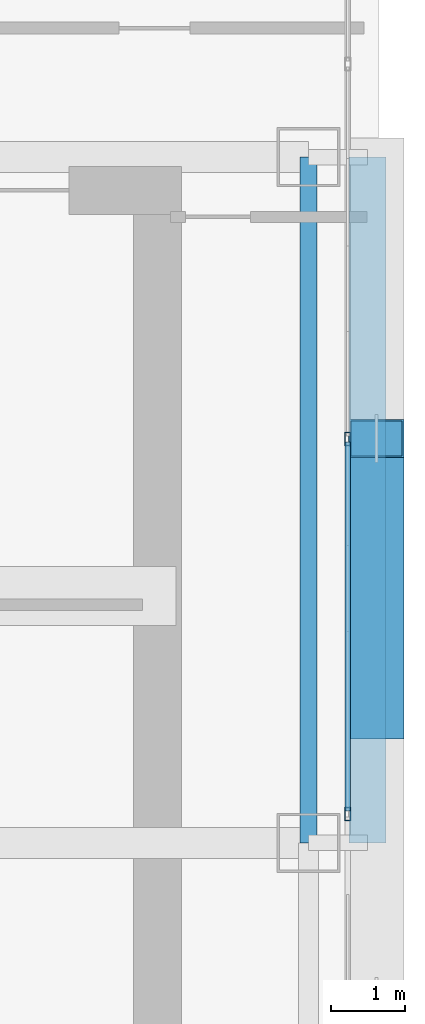
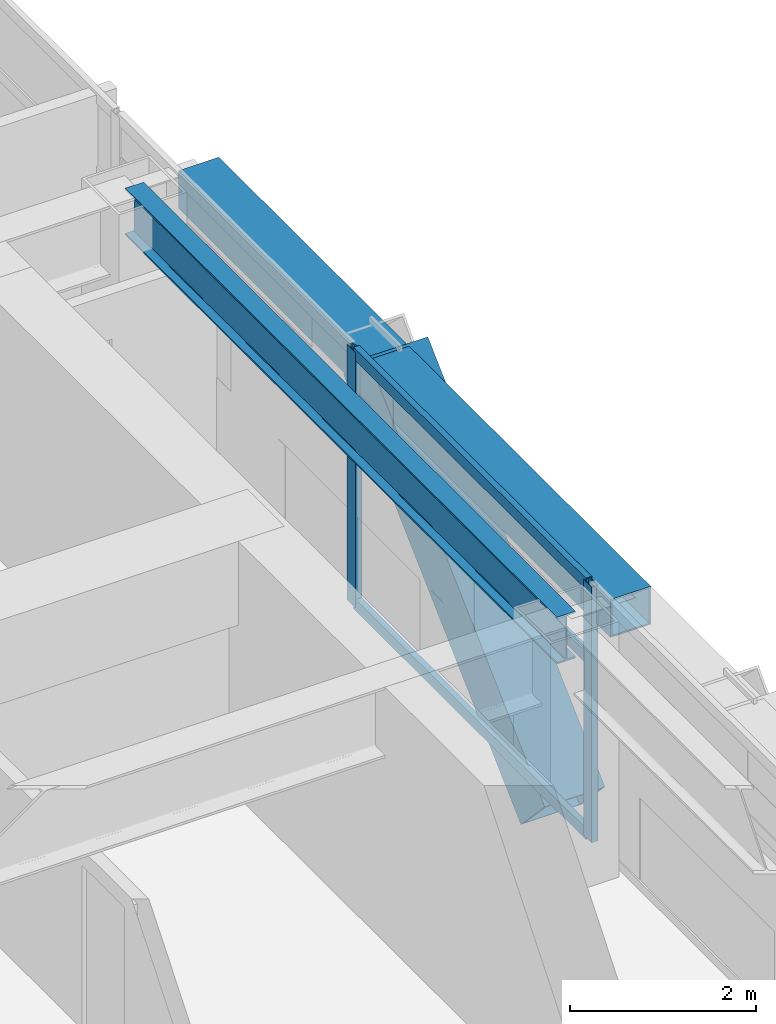
# One storey, part 15 of 34: 6 members, 2 beams, 1 element without a shape of its own.
"""IFC4 building model written with IfcOpenShell, lengths in metres."""

from ifc_helpers import new_model, si_unit, direction, frame, origin, origin_2d, place, context, subcontext, project, spatial, hollow_rectangle, i_section, extrude, source, transform, mapped, material, layer, layer_set, material_profile, profile_set, type_object, element, aggregate, save


model = new_model("IFC4")

# Units and contexts
model_context = context("Model", 3, precision=1e-05, world=origin(), true_north=direction((0.0, 1.0)))
body_context = subcontext(model_context, "Body", "Model", "MODEL_VIEW")
ifc_project = project(units=[si_unit("LENGTHUNIT", "METRE"), si_unit("AREAUNIT", "SQUARE_METRE"), si_unit("VOLUMEUNIT", "CUBIC_METRE"), si_unit("PLANEANGLEUNIT", "RADIAN"), si_unit("MASSUNIT", "GRAM", prefix="KILO")], contexts=[model_context])

# Site, building, storey
site_placement = place(None, origin())
site = spatial("IfcSite", under=ifc_project, at=site_placement, CompositionType="ELEMENT")
building_placement = place(site_placement, origin())
building = spatial("IfcBuilding", under=site, at=building_placement, Name="Ocotamira Hotel", CompositionType="ELEMENT")
storey_placement = place(building_placement, frame((0.0, 0.0, 111.60009765625)))
storey = spatial("IfcBuildingStorey", under=building, at=storey_placement, Name="L27", CompositionType="ELEMENT", Elevation=111.60009765625)

# Beams
ifc_material_1 = material(Name="Steel ASTM A992 Grade 50", Category="steel")
ifc_material_profile_1 = material_profile(ifc_material_1, i_section(OverallWidth=0.22998046875, OverallDepth=0.616943359375, WebThickness=0.01318359375, FlangeThickness=0.022216796875, FilletRadius=0.012939453125, at=origin_2d()), Name="W24X94")
ifc_profile_set_1 = profile_set([ifc_material_profile_1], Name="Steel ASTM A992 Grade 50")
beam_type_1 = type_object("IfcBeamType", Name="BM-PRIM-W24X94", PredefinedType="BEAM", material=ifc_profile_set_1)
shared_shape_1 = source(origin(), body_context, "Body", "SweptSolid", [
    extrude(i_section(OverallWidth=0.22998046875, OverallDepth=0.616943359375, WebThickness=0.01318359375, FlangeThickness=0.022216796875, FilletRadius=0.012939453125, at=origin_2d()), origin(), (0.0, 0.0, 1.0), 9.300048828125),
])
beam_1_placement = place(storey_placement, frame((55.050048828125, 28.14990234375, 3.051513671875), z_axis=(0.0, 1.0, 0.0), x_axis=(-1.0, 0.0, 0.0)))
element("IfcBeam", 1, at=beam_1_placement, inside=storey, type_object=beam_type_1, Name="L27 Beam X55.05 Y28.15-37.45", PredefinedType="BEAM", context=body_context, shape_type="MappedRepresentation", body=[
    mapped(shared_shape_1, transform((0.0, 0.0, 0.0), scale=1.0)),
])
ifc_material_2 = material(Name="Steel ASTM A500 Grade C", Category="steel")
ifc_material_profile_2 = material_profile(ifc_material_2, hollow_rectangle(XDim=0.5, YDim=0.5, WallThickness=0.02001953125, at=origin_2d()), Name="HSS500X500X20")
ifc_profile_set_2 = profile_set([ifc_material_profile_2], Name="Steel ASTM A500 Grade C")
beam_type_2 = type_object("IfcBeamType", Name="BM-SPAN-HSS500", PredefinedType="USERDEFINED", material=ifc_profile_set_2)
shared_shape_2 = source(origin(), body_context, "Body", "SweptSolid", [
    extrude(hollow_rectangle(XDim=0.5, YDim=0.5, WallThickness=0.02001953125, at=origin_2d()), origin(), (0.0, 0.0, 1.0), 9.300048828125),
])
beam_2_placement = place(storey_placement, frame((55.85009765625, 28.14990234375, 3.10986328125), z_axis=(0.0, 1.0, 0.0), x_axis=(-1.0, 0.0, 0.0)))
element("IfcBeam", 2, at=beam_2_placement, inside=storey, type_object=beam_type_2, Name="L27 Edge Spandrel E Y28.15-37.45", ObjectType="SPANDREL", PredefinedType="USERDEFINED", context=body_context, shape_type="MappedRepresentation", body=[
    mapped(shared_shape_2, transform((0.0, 0.0, 0.0), scale=1.0)),
])

# Member
ifc_material_3 = material(Name="Pale-metal coated steel ASTM A913 Grade 65", Category="steel")
ifc_material_profile_3 = material_profile(ifc_material_3, hollow_rectangle(XDim=0.75, YDim=0.75, WallThickness=0.028076171875, at=origin_2d()), Name="BOX750X750X28")
ifc_profile_set_3 = profile_set([ifc_material_profile_3], Name="Pale-metal coated steel ASTM A913 Grade 65")
member_type_1 = type_object("IfcMemberType", Name="MEM-EXO-BOX750", PredefinedType="BRACE", material=ifc_profile_set_3)
shared_shape_3 = source(origin(), body_context, "Body", "SweptSolid", [
    extrude(hollow_rectangle(XDim=0.75, YDim=0.75, WallThickness=0.028076171875, at=origin_2d()), origin(), (0.0, 0.0, 1.0), 5.24658203125),
])
member_1_placement = place(storey_placement, frame((55.969970703125, 29.816650390625, -0.489990234375), z_axis=(0.0, 0.72746596067, 0.686143772154), x_axis=(-1.0, 0.0, 0.0)))
element("IfcMember", 3, at=member_1_placement, inside=storey, type_object=member_type_1, Name="L27 Exoskeleton Diagrid E2.1", PredefinedType="BRACE", context=body_context, shape_type="MappedRepresentation", body=[
    mapped(shared_shape_3, transform((0.0, 0.0, 0.0), scale=1.0)),
])

# Curtain wall, members
ifc_material_4 = material(Name="Anodised pale-metal aluminium and solar glass", Category="aluminium")
ifc_layer = layer(ifc_material_4, 0.179931640625)
ifc_layer_set = layer_set([ifc_layer], Name="Anodised pale-metal aluminium and solar glass")
curtain_wall_type = type_object("IfcCurtainWallType", Name="CW-SYS3-Z2", PredefinedType="NOTDEFINED", material=ifc_layer_set)
curtain_wall_placement = place(storey_placement, origin())
curtain_wall = element("IfcCurtainWall", 4, at=curtain_wall_placement, inside=storey, type_object=curtain_wall_type, Name="L27 Curtain Wall CW-3 CW-L27-E", PredefinedType="NOTDEFINED")
ifc_material_5 = material(Name="Anodised pale-metal aluminium 6063-T6", Category="aluminium")
ifc_material_profile_4 = material_profile(ifc_material_5, hollow_rectangle(XDim=0.074951171875, YDim=0.14990234375, WallThickness=0.006103515625, at=origin_2d()), Name="HSS150X75X6")
ifc_profile_set_4 = profile_set([ifc_material_profile_4], Name="Anodised pale-metal aluminium 6063-T6")
member_type_2 = type_object("IfcMemberType", Name="CWT-150X75", PredefinedType="USERDEFINED", material=ifc_profile_set_4)
shared_shape_4 = source(origin(), body_context, "Body", "SweptSolid", [
    extrude(hollow_rectangle(XDim=0.074951171875, YDim=0.14990234375, WallThickness=0.006103515625, at=origin_2d()), origin(), (0.0, 0.0, 1.0), 5.005859375),
])
member_2_placement = place(storey_placement, frame((55.580078125, 28.582763671875, 0.037353515625), z_axis=(0.0, 1.0, 0.0), x_axis=(-1.0, 0.0, 0.0)))
member_2 = element("IfcMember", 5, at=member_2_placement, type_object=member_type_2, Name="CW-3 transom 5.1", ObjectType="TRANSOM", PredefinedType="USERDEFINED", context=body_context, shape_type="MappedRepresentation", body=[
    mapped(shared_shape_4, transform((0.0, 0.0, 0.0), scale=1.0)),
])
member_3_placement = place(storey_placement, frame((55.580078125, 28.582763671875, 2.349853515625), z_axis=(0.0, 1.0, 0.0), x_axis=(-1.0, 0.0, 0.0)))
member_3 = element("IfcMember", 6, at=member_3_placement, type_object=member_type_2, Name="CW-3 transom 5.2", ObjectType="TRANSOM", PredefinedType="USERDEFINED", context=body_context, shape_type="MappedRepresentation", body=[
    mapped(shared_shape_4, transform((0.0, 0.0, 0.0), scale=1.0)),
])
member_4_placement = place(storey_placement, frame((55.580078125, 28.582763671875, 3.322509765625), z_axis=(0.0, 1.0, 0.0), x_axis=(-1.0, 0.0, 0.0)))
member_4 = element("IfcMember", 7, at=member_4_placement, type_object=member_type_2, Name="CW-3 transom 5.3", ObjectType="TRANSOM", PredefinedType="USERDEFINED", context=body_context, shape_type="MappedRepresentation", body=[
    mapped(shared_shape_4, transform((0.0, 0.0, 0.0), scale=1.0)),
])
ifc_material_profile_5 = material_profile(ifc_material_5, hollow_rectangle(XDim=0.080078125, YDim=0.179931640625, WallThickness=0.006103515625, at=origin_2d()), Name="HSS180X80X6")
ifc_profile_set_5 = profile_set([ifc_material_profile_5], Name="Anodised pale-metal aluminium 6063-T6")
member_type_3 = type_object("IfcMemberType", Name="CWM-180X75", PredefinedType="MULLION", material=ifc_profile_set_5)
shared_shape_5 = source(origin(), body_context, "Body", "SweptSolid", [
    extrude(hollow_rectangle(XDim=0.080078125, YDim=0.179931640625, WallThickness=0.006103515625, at=origin_2d()), origin(), (0.0, 0.0, 1.0), 3.35986328125),
])
member_5_placement = place(storey_placement, frame((55.580078125, 28.54296875, 0.0), z_axis=(0.0, 0.0, 1.0), x_axis=(-1.0, 0.0, 0.0)))
member_5 = element("IfcMember", 8, at=member_5_placement, type_object=member_type_3, Name="CW-3 mullion 5", PredefinedType="MULLION", context=body_context, shape_type="MappedRepresentation", body=[
    mapped(shared_shape_5, transform((0.0, 0.0, 0.0), scale=1.0)),
])
member_6_placement = place(storey_placement, frame((55.580078125, 33.628662109375, 0.0), z_axis=(0.0, 0.0, 1.0), x_axis=(-1.0, 0.0, 0.0)))
member_6 = element("IfcMember", 9, at=member_6_placement, type_object=member_type_3, Name="CW-3 mullion 6", PredefinedType="MULLION", context=body_context, shape_type="MappedRepresentation", body=[
    mapped(shared_shape_5, transform((0.0, 0.0, 0.0), scale=1.0)),
])
aggregate(curtain_wall, [member_5, member_6, member_2, member_3, member_4])

save(model, "model.ifc")
